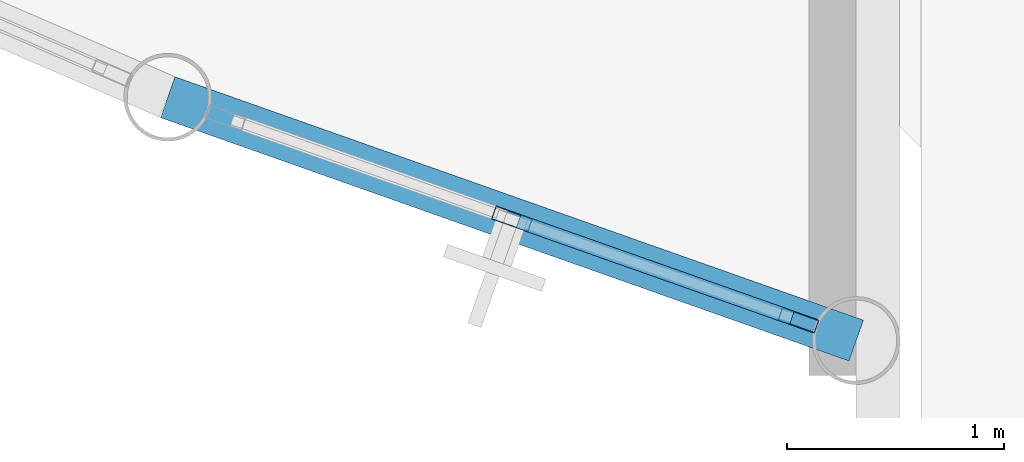
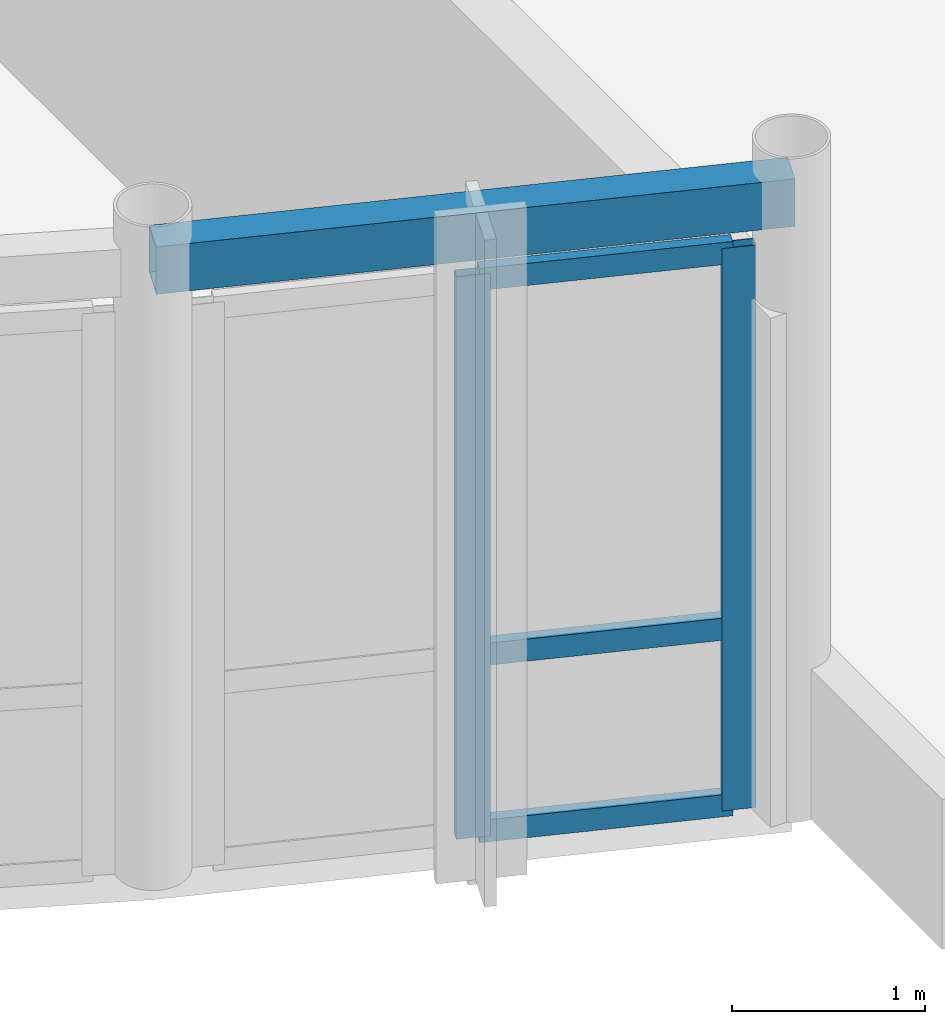
# One storey, part 17 of 54: 5 members, 1 beam, 1 element without a shape of its own.
"""IFC4 building model written with IfcOpenShell, lengths in metres."""

from ifc_helpers import new_model, si_unit, direction, frame, origin, origin_2d, place, context, subcontext, project, spatial, hollow_rectangle, extrude, material, layer, layer_set, material_profile, profile_set, type_object, element, aggregate, save


model = new_model("IFC4")

# Units and contexts
model_context = context("Model", 3, precision=1e-05, world=origin(), true_north=direction((0.0, 1.0)))
body_context = subcontext(model_context, "Body", "Model", "MODEL_VIEW")
ifc_project = project(units=[si_unit("LENGTHUNIT", "METRE"), si_unit("AREAUNIT", "SQUARE_METRE"), si_unit("VOLUMEUNIT", "CUBIC_METRE"), si_unit("PLANEANGLEUNIT", "RADIAN"), si_unit("MASSUNIT", "GRAM", prefix="KILO")], contexts=[model_context])

# Site, building, storey
site_placement = place(None, origin())
site = spatial("IfcSite", under=ifc_project, at=site_placement, CompositionType="ELEMENT")
building_placement = place(site_placement, origin())
building = spatial("IfcBuilding", under=site, at=building_placement, Name="Selat Folded Stagehouse", CompositionType="ELEMENT")
storey_placement = place(building_placement, frame((0.0, 0.0, 15.0)))
storey = spatial("IfcBuildingStorey", under=building, at=storey_placement, Name="L03", CompositionType="ELEMENT", Elevation=15.0)

# Curtain wall, members
ifc_material_1 = material(Name="Aluminium 6063-T6", Category="aluminium")
ifc_layer = layer(ifc_material_1, 0.18505859375)
ifc_layer_set = layer_set([ifc_layer], Name="Aluminium 6063-T6")
curtain_wall_type = type_object("IfcCurtainWallType", Name="CW-DRM-UPPER", PredefinedType="NOTDEFINED", material=ifc_layer_set)
curtain_wall_placement = place(storey_placement, origin())
curtain_wall = element("IfcCurtainWall", 1, at=curtain_wall_placement, inside=storey, type_object=curtain_wall_type, Name="L03 curtain wall CW-DRM-L03-19", PredefinedType="NOTDEFINED")
ifc_material_profile_1 = material_profile(ifc_material_1, hollow_rectangle(XDim=0.06494140625, YDim=0.179931640625, WallThickness=0.00390625, at=origin_2d()), Name="ALU 180x65x4.0")
ifc_profile_set_1 = profile_set([ifc_material_profile_1], Name="Aluminium 6063-T6")
member_type_1 = type_object("IfcMemberType", Name="CWM-MUL-180x65", PredefinedType="MULLION", material=ifc_profile_set_1)
member_1_placement = place(storey_placement, frame((33.333740234375, 2.304931640625, 0.0), z_axis=(0.0, 0.0, 1.0), x_axis=(-0.333314148838, -0.942815824106, 0.0)))
member_1 = element("IfcMember", 2, at=member_1_placement, type_object=member_type_1, Name="CW-03 mullion 1", PredefinedType="MULLION", context=body_context, shape_type="SweptSolid", body=[
    extrude(hollow_rectangle(XDim=0.06494140625, YDim=0.179931640625, WallThickness=0.00390625, at=origin_2d()), origin(), (0.0, 0.0, 1.0), 3.56005859375),
])
member_2_placement = place(storey_placement, frame((32.01171875, 2.7724609375, 0.0), z_axis=(0.0, 0.0, 1.0), x_axis=(-0.333314148838, -0.942815824106, 0.0)))
member_2 = element("IfcMember", 3, at=member_2_placement, type_object=member_type_1, Name="CW-03 mullion 2", PredefinedType="MULLION", context=body_context, shape_type="SweptSolid", body=[
    extrude(hollow_rectangle(XDim=0.06494140625, YDim=0.179931640625, WallThickness=0.00390625, at=origin_2d()), origin(), (0.0, 0.0, 1.0), 3.56005859375),
])
ifc_material_profile_2 = material_profile(ifc_material_1, hollow_rectangle(XDim=0.06494140625, YDim=0.139892578125, WallThickness=0.00390625, at=origin_2d()), Name="ALU 140x65x4.0")
ifc_profile_set_2 = profile_set([ifc_material_profile_2], Name="Aluminium 6063-T6")
member_type_2 = type_object("IfcMemberType", Name="CWM-TRN-140x65", PredefinedType="USERDEFINED", material=ifc_profile_set_2)
member_3_placement = place(storey_placement, frame((33.302978515625, 2.31591796875, 0.032470703125), z_axis=(-0.942831774674, 0.333269027461, 0.0), x_axis=(-0.333269027461, -0.942831774674, 0.0)))
member_3 = element("IfcMember", 4, at=member_3_placement, type_object=member_type_2, Name="CW-03 transom 1.1", ObjectType="TRANSOM", PredefinedType="USERDEFINED", context=body_context, shape_type="SweptSolid", body=[
    extrude(hollow_rectangle(XDim=0.06494140625, YDim=0.139892578125, WallThickness=0.00390625, at=origin_2d()), origin(), (0.0, 0.0, 1.0), 1.3369140625),
])
member_4_placement = place(storey_placement, frame((33.302978515625, 2.31591796875, 1.14990234375), z_axis=(-0.942831774674, 0.333269027461, 0.0), x_axis=(-0.333269027461, -0.942831774674, 0.0)))
member_4 = element("IfcMember", 5, at=member_4_placement, type_object=member_type_2, Name="CW-03 transom 1.2", ObjectType="TRANSOM", PredefinedType="USERDEFINED", context=body_context, shape_type="SweptSolid", body=[
    extrude(hollow_rectangle(XDim=0.06494140625, YDim=0.139892578125, WallThickness=0.00390625, at=origin_2d()), origin(), (0.0, 0.0, 1.0), 1.3369140625),
])
member_5_placement = place(storey_placement, frame((33.302978515625, 2.31591796875, 3.527587890625), z_axis=(-0.942831774674, 0.333269027461, 0.0), x_axis=(-0.333269027461, -0.942831774674, 0.0)))
member_5 = element("IfcMember", 6, at=member_5_placement, type_object=member_type_2, Name="CW-03 transom 1.3", ObjectType="TRANSOM", PredefinedType="USERDEFINED", context=body_context, shape_type="SweptSolid", body=[
    extrude(hollow_rectangle(XDim=0.06494140625, YDim=0.139892578125, WallThickness=0.00390625, at=origin_2d()), origin(), (0.0, 0.0, 1.0), 1.3369140625),
])
aggregate(curtain_wall, [member_1, member_2, member_3, member_4, member_5])

# Beam
ifc_material_2 = material(Name="Steel S355", Category="steel")
ifc_material_profile_3 = material_profile(ifc_material_2, hollow_rectangle(XDim=0.199951171875, YDim=0.300048828125, WallThickness=0.012451171875, at=origin_2d()), Name="RHS 300x200x12.5")
ifc_profile_set_3 = profile_set([ifc_material_profile_3], Name="Steel S355")
beam_type = type_object("IfcBeamType", Name="SPD-RHS-300x200", PredefinedType="SPANDREL", material=ifc_profile_set_3)
beam_placement = place(storey_placement, frame((30.423583984375, 3.333740234375, 3.85009765625), z_axis=(0.942833706296, -0.333263562774, 0.0), x_axis=(0.333263562774, 0.942833706296, 0.0)))
element("IfcBeam", 7, at=beam_placement, inside=storey, type_object=beam_type, Name="L03 curved drum spandrel beam 20", PredefinedType="SPANDREL", context=body_context, shape_type="SweptSolid", body=[
    extrude(hollow_rectangle(XDim=0.199951171875, YDim=0.300048828125, WallThickness=0.012451171875, at=origin_2d()), origin(), (0.0, 0.0, 1.0), 3.369140625),
])

save(model, "model.ifc")
